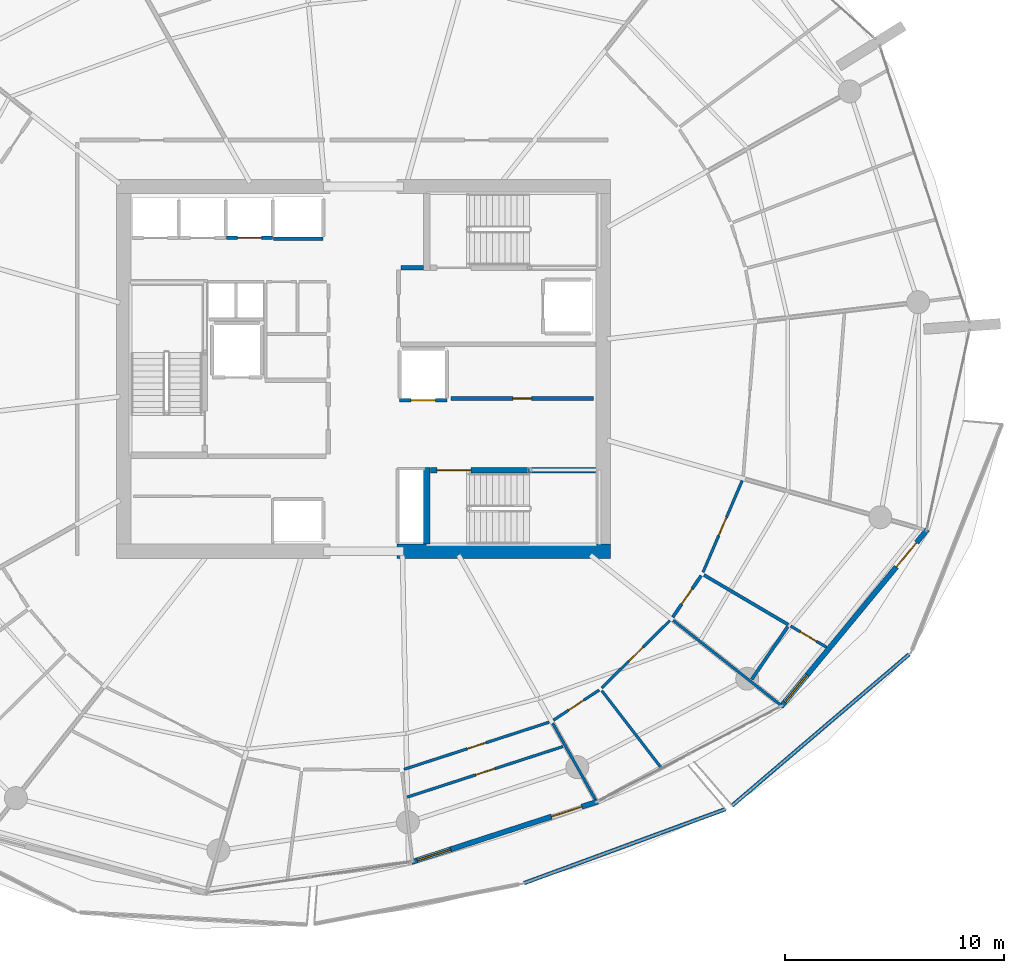
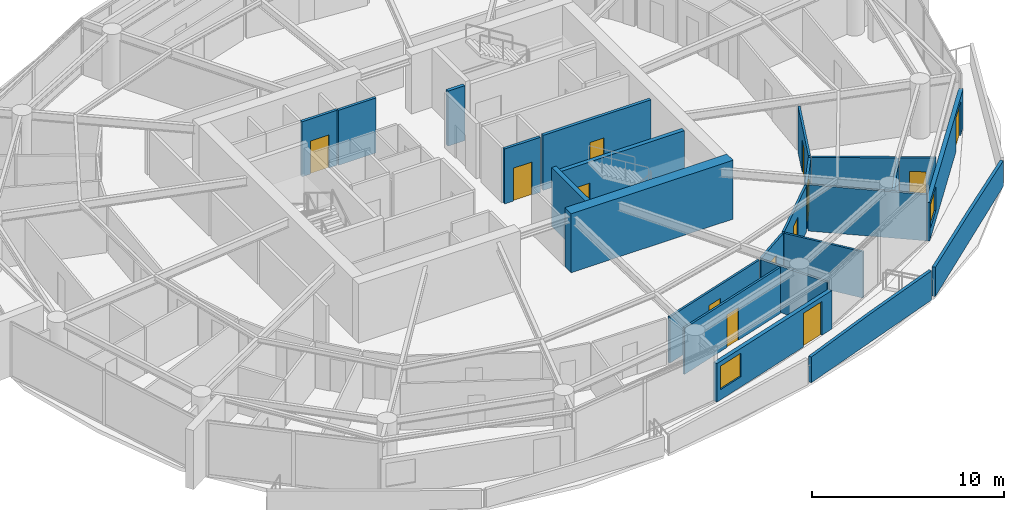
# One storey, part 13 of 21: 24 walls, 13 doors, 2 windows, 15 openings.
"""IFC4 building model written with IfcOpenShell, lengths in metres."""

import ifcopenshell
import ifcopenshell.guid

model = None  # the IFC model being written
_history = None  # IfcOwnerHistory: only IFC2X3 demands one
_inside = {}  # id of a spatial element -> (the spatial element, [elements in it])
_under = {}  # id of a project, library or spatial element -> (it, [spatial elements below it])
_declared = {}  # id of a project -> (the project, [libraries it declares])
_typed = {}  # id of a type object -> (the type object, [elements of that type])
_made_of = {}  # id of a material, layer set ... -> (it, [elements and type objects made of it])


def new_model(schema):
    """Start an empty IFC model of exactly this schema.

    Asked for "IFC4X3", IfcOpenShell would pick the latest addendum, in which some entities
    have other attributes; the version numbers below select the first issue.
    IFC2X3 requires an IfcOwnerHistory on every rooted entity: one is made here for all.
    """
    global model, _history
    if schema == "IFC4X3":
        model = ifcopenshell.file(schema_version=(4, 3, 0, 0))
    else:
        model = ifcopenshell.file(schema=schema)
    _inside.clear()
    _under.clear()
    _declared.clear()
    _typed.clear()
    _made_of.clear()
    _history = None
    if model.schema == "IFC2X3":
        org = make("IfcOrganization", Name="unknown")
        user = make(
            "IfcPersonAndOrganization",
            ThePerson=make("IfcPerson", FamilyName="unknown"),
            TheOrganization=org,
        )
        app = make(
            "IfcApplication",
            ApplicationDeveloper=org,
            Version="unknown",
            ApplicationFullName="unknown",
            ApplicationIdentifier="unknown",
        )
        _history = make(
            "IfcOwnerHistory",
            OwningUser=user,
            OwningApplication=app,
            ChangeAction="ADDED",
            CreationDate=0,
        )
    return model


def make(cls, **values):
    """One entity of the class cls with the attributes given. An attribute that is None is left unset."""
    return model.create_entity(
        cls, **{name: value for name, value in values.items() if value is not None}
    )


def rooted(cls, **values):
    """An entity with a GlobalId (a new one), such as an element, a storey or a relation."""
    return make(cls, GlobalId=ifcopenshell.guid.new(), OwnerHistory=_history, **values)


def si_unit(unit_type, name, prefix=None):
    """IfcSIUnit, for example si_unit("LENGTHUNIT", "METRE", prefix="MILLI")."""
    return make("IfcSIUnit", UnitType=unit_type, Prefix=prefix, Name=name)


def assignment(units):
    """IfcUnitAssignment: the units of a project."""
    return None if units is None else make("IfcUnitAssignment", Units=units)


def point(xyz):
    """IfcCartesianPoint."""
    return None if xyz is None else make("IfcCartesianPoint", Coordinates=xyz)


def direction(xyz):
    """IfcDirection."""
    return None if xyz is None else make("IfcDirection", DirectionRatios=xyz)


def frame(location, z_axis=None, x_axis=None):
    """IfcAxis2Placement3D, a coordinate frame: its origin and axes. An axis left out is left unset."""
    return make(
        "IfcAxis2Placement3D",
        Location=point(location),
        Axis=direction(z_axis),
        RefDirection=direction(x_axis),
    )


def frame_2d(location, x_axis=None):
    """IfcAxis2Placement2D, a coordinate frame in the plane: its origin and x axis."""
    return make(
        "IfcAxis2Placement2D", Location=point(location), RefDirection=direction(x_axis)
    )


def origin():
    """The frame at (0, 0, 0) with its axes left unset."""
    return frame((0.0, 0.0, 0.0))


def place(relative_to, where):
    """IfcLocalPlacement: puts the frame where relative to a parent placement (None: the world)."""
    return make(
        "IfcLocalPlacement", PlacementRelTo=relative_to, RelativePlacement=where
    )


def context(
    kind, dimensions, precision=None, world=None, true_north=None, identifier=None
):
    """IfcGeometricRepresentationContext, for example the 3D "Model" context."""
    return make(
        "IfcGeometricRepresentationContext",
        ContextIdentifier=identifier,
        ContextType=kind,
        CoordinateSpaceDimension=dimensions,
        Precision=precision,
        WorldCoordinateSystem=world,
        TrueNorth=true_north,
    )


def subcontext(parent, identifier, kind, view, scale=None):
    """IfcGeometricRepresentationSubContext, for example "Body" below "Model"."""
    return make(
        "IfcGeometricRepresentationSubContext",
        ContextIdentifier=identifier,
        ContextType=kind,
        ParentContext=parent,
        TargetScale=scale,
        TargetView=view,
    )


def project(units=None, contexts=None):
    """IfcProject with its units and contexts."""
    return rooted(
        "IfcProject",
        Name="project",
        RepresentationContexts=contexts,
        UnitsInContext=assignment(units),
    )


def spatial(cls, under=None, at=None, **own):
    """A site, building, storey or space (cls), placed at a placement, below another one or the project."""
    s = rooted(cls, ObjectPlacement=at, **own)
    if under is not None:
        _under.setdefault(under.id(), (under, []))[1].append(s)
    return s


def polyline(points):
    """IfcPolyline through the points."""
    return make("IfcPolyline", Points=[point(p) for p in points])


def profile(cls, at=None, kind="AREA", **sizes):
    """A parametric profile (cls). Its sizes go by their IFC names, for example OverallWidth=200.0."""
    return make(cls, ProfileType=kind, Position=at, **sizes)


def rectangle(**sizes):
    """IfcRectangleProfileDef."""
    return profile("IfcRectangleProfileDef", **sizes)


def outline(outer, holes=None, kind="AREA"):
    """IfcArbitraryClosedProfileDef: a profile drawn as a closed curve; with holes, ...WithVoids."""
    if holes is None:
        return make("IfcArbitraryClosedProfileDef", ProfileType=kind, OuterCurve=outer)
    return make(
        "IfcArbitraryProfileDefWithVoids",
        ProfileType=kind,
        OuterCurve=outer,
        InnerCurves=holes,
    )


def extrude(swept, where, along, depth):
    """IfcExtrudedAreaSolid: the profile swept, set in the frame where, extruded along a direction by depth."""
    return make(
        "IfcExtrudedAreaSolid",
        SweptArea=swept,
        Position=where,
        ExtrudedDirection=direction(along),
        Depth=depth,
    )


def shape(context_of_items, identifier, shape_type, items):
    """IfcShapeRepresentation: the items that make up one representation, for example the "Body"."""
    return make(
        "IfcShapeRepresentation",
        ContextOfItems=context_of_items,
        RepresentationIdentifier=identifier,
        RepresentationType=shape_type,
        Items=items,
    )


def material(Name=None, Category=None):
    """IfcMaterial."""
    return make("IfcMaterial", Name=Name, Category=Category)


def layer(
    of_material, thickness, ventilated=None, Name=None, Category=None, Priority=None
):
    """IfcMaterialLayer: one layer of a wall or slab, of a material (None: an air gap)."""
    return make(
        "IfcMaterialLayer",
        Material=of_material,
        LayerThickness=thickness,
        IsVentilated=ventilated,
        Name=Name,
        Category=Category,
        Priority=Priority,
    )


def layer_set(layers, Name=None):
    """IfcMaterialLayerSet."""
    return make("IfcMaterialLayerSet", MaterialLayers=layers, LayerSetName=Name)


def made_of(thing, what):
    """Note that an element or type object is made of a material, layer set ...; save() writes the relation."""
    if what is not None:
        _made_of.setdefault(what.id(), (what, []))[1].append(thing)
    return thing


def type_object(cls, material=None, **own):
    """A type object (cls), such as IfcWallType, which elements share."""
    return made_of(rooted(cls, **own), material)


def element(
    cls,
    number,
    at=None,
    inside=None,
    cuts=None,
    type_object=None,
    material=None,
    context=None,
    identifier="Body",
    shape_type=None,
    held_by="IfcProductDefinitionShape",
    body=None,
    shapes=None,
    **own,
):
    """One element of the class cls, such as IfcWall. Its Tag is "e" and its number.

    at: its placement. inside: the storey or other place that contains it. cuts: it is an
    opening in that element (IfcRelVoidsElement). A single representation is given by context,
    identifier, shape_type and body (its items); several are given by shapes. held_by: the class
    of the entity that holds the representations. save() writes the other relations.
    """
    e = rooted(cls, Tag="e%d" % number, ObjectPlacement=at, **own)
    if body is not None:
        shapes = [shape(context, identifier, shape_type, body)]
    if shapes is not None:
        e.Representation = make(held_by, Representations=shapes)
    if inside is not None:
        _inside.setdefault(inside.id(), (inside, []))[1].append(e)
    if cuts is not None:
        rooted(
            "IfcRelVoidsElement", RelatingBuildingElement=cuts, RelatedOpeningElement=e
        )
    if type_object is not None:
        _typed.setdefault(type_object.id(), (type_object, []))[1].append(e)
    return made_of(e, material)


def fill(opening, filler):
    """IfcRelFillsElement: the door or window that sits in an opening."""
    return rooted(
        "IfcRelFillsElement",
        RelatingOpeningElement=opening,
        RelatedBuildingElement=filler,
    )


def aggregate(whole, parts):
    """IfcRelAggregates: a whole, such as a stair, and the parts it consists of."""
    return rooted("IfcRelAggregates", RelatingObject=whole, RelatedObjects=parts)


def save(model, path):
    """Write the relations noted so far, then the file.

    IfcRelAggregates (storeys below a building ...), IfcRelContainedInSpatialStructure (elements
    in a storey), IfcRelDefinesByType, IfcRelAssociatesMaterial and IfcRelDeclares: one each for
    every whole, place, type object, material and project.
    """
    for whole, parts in _under.values():
        aggregate(whole, parts)
    for where, things in _inside.values():
        rooted(
            "IfcRelContainedInSpatialStructure",
            RelatedElements=things,
            RelatingStructure=where,
        )
    for kind, things in _typed.values():
        rooted("IfcRelDefinesByType", RelatedObjects=things, RelatingType=kind)
    for what, things in _made_of.values():
        rooted("IfcRelAssociatesMaterial", RelatedObjects=things, RelatingMaterial=what)
    for by, libraries in _declared.values():
        rooted("IfcRelDeclares", RelatingContext=by, RelatedDefinitions=libraries)
    model.write(path)


model = new_model("IFC4")

# Units and contexts
model_context = context("Model", 3, precision=1e-05, world=origin(), true_north=direction((0.0, 1.0)))
body_context = subcontext(model_context, "Body", "Model", "MODEL_VIEW")
ifc_project = project(units=[si_unit("LENGTHUNIT", "METRE"), si_unit("AREAUNIT", "SQUARE_METRE"), si_unit("VOLUMEUNIT", "CUBIC_METRE"), si_unit("PLANEANGLEUNIT", "RADIAN"), si_unit("MASSUNIT", "GRAM", prefix="KILO")], contexts=[model_context])

# Site, building, storey
site_placement = place(None, origin())
site = spatial("IfcSite", under=ifc_project, at=site_placement, CompositionType="ELEMENT")
building_placement = place(site_placement, origin())
building = spatial("IfcBuilding", under=site, at=building_placement, Name="Kazma Halo Residences", CompositionType="ELEMENT")
storey_placement = place(building_placement, frame((0.0, 0.0, 191.550048828125)))
storey = spatial("IfcBuildingStorey", under=building, at=storey_placement, Name="L48", CompositionType="ELEMENT", Elevation=191.550048828125)

# Walls
ifc_material_1 = material(Name="White Concrete C50/60 Balustrade", Category="concrete")
ifc_layer_1 = layer(ifc_material_1, 0.179931640625)
ifc_layer_set_1 = layer_set([ifc_layer_1], Name="White Concrete C50/60 Balustrade")
wall_type_1 = type_object("IfcWallType", Name="WL-BAL-WAVE-180", PredefinedType="PARAPET", material=ifc_layer_set_1)
wall_1_placement = place(storey_placement, frame((55.755615234375, 18.518310546875, 0.0), z_axis=(0.0, 0.0, 1.0), x_axis=(0.938669265972, 0.344818806214, 0.0)))
element("IfcWall", 1, at=wall_1_placement, inside=storey, type_object=wall_type_1, Name="L48 white wave balustrade wall SSE.2", PredefinedType="PARAPET", context=body_context, shape_type="SweptSolid", body=[
    extrude(outline(polyline([(0.0, 0.0), (9.802734375, 0.0), (9.802490234375, 1.85986328125), (4.9013671875, 1.7978515625), (0.0, 1.6318359375), (0.0, 0.0)])), frame((0.0, 0.08984375, 0.0), z_axis=(0.0, -1.0, 0.0), x_axis=(1.0, 0.0, 0.0)), (0.0, 0.0, 1.0), 0.179931640625),
])
wall_2_placement = place(storey_placement, frame((65.248291015625, 22.052978515625, 0.0), z_axis=(0.0, 0.0, 1.0), x_axis=(0.760227532438, 0.649656908624, 0.0)))
element("IfcWall", 2, at=wall_2_placement, inside=storey, type_object=wall_type_1, Name="L48 white wave balustrade wall SE.1", PredefinedType="PARAPET", context=body_context, shape_type="SweptSolid", body=[
    extrude(outline(polyline([(0.0, 0.0), (10.640380859375, 0.0), (10.640380859375, 1.6318359375), (5.3203125, 1.7978515625), (0.0, 1.85986328125), (0.0, 0.0)])), frame((0.0, 0.08984375, 0.0), z_axis=(0.0, -1.0, 0.0), x_axis=(1.0, 0.0, 0.0)), (0.0, 0.0, 1.0), 0.179931640625),
])
ifc_material_2 = material(Name="Concrete C60/75", Category="concrete")
ifc_layer_2 = layer(ifc_material_2, 0.64990234375)
ifc_layer_set_2 = layer_set([ifc_layer_2], Name="Concrete C60/75")
wall_type_2 = type_object("IfcWallType", Name="WL-CORE-650", PredefinedType="SHEAR", material=ifc_layer_set_2)
wall_3_placement = place(storey_placement, frame((49.949951171875, 33.675048828125, 0.0), z_axis=(0.0, 0.0, 1.0), x_axis=(1.0, 0.0, 0.0)))
element("IfcWall", 3, at=wall_3_placement, inside=storey, type_object=wall_type_2, Name="L48 central core shear wall SE", PredefinedType="SHEAR", context=body_context, shape_type="SweptSolid", body=[
    extrude(rectangle(XDim=9.75, YDim=0.64990234375, at=frame_2d((4.875, 0.0))), origin(), (0.0, 0.0, 1.0), 3.75),
])
ifc_layer_3 = layer(ifc_material_2, 0.280029296875)
ifc_layer_set_3 = layer_set([ifc_layer_3], Name="Concrete C60/75")
wall_type_3 = type_object("IfcWallType", Name="WL-CORE-ST-280", PredefinedType="SHEAR", material=ifc_layer_set_3)
wall_4_placement = place(storey_placement, frame((51.31005859375, 34.0, 0.0), z_axis=(0.0, 0.0, 1.0), x_axis=(0.0, 1.0, 0.0)))
element("IfcWall", 4, at=wall_4_placement, inside=storey, type_object=wall_type_3, Name="L48 stairwell bearing wall ST03-W", PredefinedType="SHEAR", context=body_context, shape_type="SweptSolid", body=[
    extrude(rectangle(XDim=3.5, YDim=0.280029296875, at=frame_2d((1.75, 0.0))), origin(), (0.0, 0.0, 1.0), 3.75),
])

# Wall, openings, door, window
ifc_material_3 = material(Name="Insulated Pale-Metal Composite Wall")
ifc_layer_4 = layer(ifc_material_3, 0.239990234375)
ifc_layer_set_4 = layer_set([ifc_layer_4], Name="Insulated Pale-Metal Composite Wall")
wall_type_4 = type_object("IfcWallType", Name="WL-EXT-HOST-240", PredefinedType="SOLIDWALL", material=ifc_layer_set_4)
wall_5_placement = place(storey_placement, frame((50.61572265625, 19.481201171875, 0.0), z_axis=(0.0, 0.0, 1.0), x_axis=(0.951058543936, 0.309010753869, 0.0)))
wall_5 = element("IfcWall", 5, at=wall_5_placement, inside=storey, type_object=wall_type_4, Name="L48 exterior terrace-access wall B12", PredefinedType="SOLIDWALL", context=body_context, shape_type="SweptSolid", body=[
    extrude(rectangle(XDim=8.942138671875, YDim=0.239990234375, at=frame_2d((4.47119140625, 0.0))), origin(), (0.0, 0.0, 1.0), 2.449951171875),
])
opening_1_placement = place(wall_5_placement, frame((6.721923828125, 0.0, 0.0)))
opening_1 = element("IfcOpeningElement", 6, at=opening_1_placement, cuts=wall_5, Name="Opening DTR-1600", PredefinedType="OPENING", context=body_context, shape_type="SweptSolid", body=[
    extrude(rectangle(XDim=1.449951171875, YDim=2.14990234375, at=frame_2d((0.72509765625, 1.074951171875))), frame((0.0, 0.1298828125, 0.0), z_axis=(0.0, -1.0, 0.0), x_axis=(1.0, 0.0, 0.0)), (0.0, 0.0, 1.0), 0.260009765625),
])
opening_2_placement = place(wall_5_placement, frame((0.280029296875, 0.0, 0.64990234375)))
opening_2 = element("IfcOpeningElement", 7, at=opening_2_placement, cuts=wall_5, Name="Opening W-1800", PredefinedType="OPENING", context=body_context, shape_type="SweptSolid", body=[
    extrude(rectangle(XDim=1.60009765625, YDim=1.5, at=frame_2d((0.800048828125, 0.75))), frame((0.0, 0.1298828125, 0.0), z_axis=(0.0, -1.0, 0.0), x_axis=(1.0, 0.0, 0.0)), (0.0, 0.0, 1.0), 0.260009765625),
])
ifc_material_4 = material(Name="Aluminium AW-6063 T6 Double-Glazed Terrace Door", Category="aluminium")
door_type_1 = type_object("IfcDoorType", Name="DR-EXT-TERR-1600", OperationType="NOTDEFINED", PredefinedType="DOOR", material=ifc_material_4)
door_1_placement = place(opening_1_placement, origin())
door_1 = element("IfcDoor", 8, at=door_1_placement, inside=storey, type_object=door_type_1, Name="L48 B12 balcony terrace door", OperationType="DOUBLE_DOOR_SLIDING", OverallHeight=2.14990234375, OverallWidth=1.449951171875, PredefinedType="DOOR", context=body_context, shape_type="SweptSolid", body=[
    extrude(rectangle(XDim=1.449951171875, YDim=2.14990234375, at=frame_2d((0.72509765625, 1.074951171875))), frame((0.0, 0.02490234375, 0.0), z_axis=(0.0, -1.0, 0.0), x_axis=(1.0, 0.0, 0.0)), (0.0, 0.0, 1.0), 0.050048828125),
])
fill(opening_1, door_1)
ifc_material_5 = material(Name="Clear Triple-Silver Low-E Glass in Aluminium AW-6063 T6 Frame", Category="aluminium")
window_type = type_object("IfcWindowType", Name="WIN-RES-1800", PartitioningType="DOUBLE_PANEL_VERTICAL", PredefinedType="WINDOW", material=ifc_material_5)
window_1_placement = place(opening_2_placement, origin())
window_1 = element("IfcWindow", 9, at=window_1_placement, inside=storey, type_object=window_type, Name="L48 B12 apartment window", OverallHeight=1.5, OverallWidth=1.60009765625, PartitioningType="SINGLE_PANEL", PredefinedType="WINDOW", context=body_context, shape_type="SweptSolid", body=[
    extrude(rectangle(XDim=1.60009765625, YDim=1.5, at=frame_2d((0.800048828125, 0.75))), frame((0.0, 0.030029296875, 0.0), z_axis=(0.0, -1.0, 0.0), x_axis=(1.0, 0.0, 0.0)), (0.0, 0.0, 1.0), 0.06005859375),
])
fill(opening_2, window_1)

wall_6_placement = place(storey_placement, frame((67.485107421875, 26.57568359375, 0.0), z_axis=(0.0, 0.0, 1.0), x_axis=(0.636759394418, 0.771062561418, 0.0)))
wall_6 = element("IfcWall", 10, at=wall_6_placement, inside=storey, type_object=wall_type_4, Name="L48 exterior terrace-access wall B14", PredefinedType="SOLIDWALL", context=body_context, shape_type="SweptSolid", body=[
    extrude(rectangle(XDim=10.494384765625, YDim=0.239990234375, at=frame_2d((5.2470703125, 0.0))), origin(), (0.0, 0.0, 1.0), 2.449951171875),
])
opening_3_placement = place(wall_6_placement, frame((8.2744140625, 0.0, 0.0)))
opening_3 = element("IfcOpeningElement", 11, at=opening_3_placement, cuts=wall_6, Name="Opening DTR-1600", PredefinedType="OPENING", context=body_context, shape_type="SweptSolid", body=[
    extrude(rectangle(XDim=1.449951171875, YDim=2.14990234375, at=frame_2d((0.72509765625, 1.074951171875))), frame((0.0, 0.1298828125, 0.0), z_axis=(0.0, -1.0, 0.0), x_axis=(1.0, 0.0, 0.0)), (0.0, 0.0, 1.0), 0.260009765625),
])
opening_4_placement = place(wall_6_placement, frame((0.280029296875, 0.0, 0.64990234375)))
opening_4 = element("IfcOpeningElement", 12, at=opening_4_placement, cuts=wall_6, Name="Opening W-1800", PredefinedType="OPENING", context=body_context, shape_type="SweptSolid", body=[
    extrude(rectangle(XDim=1.60009765625, YDim=1.5, at=frame_2d((0.800048828125, 0.75))), frame((0.0, 0.1298828125, 0.0), z_axis=(0.0, -1.0, 0.0), x_axis=(1.0, 0.0, 0.0)), (0.0, 0.0, 1.0), 0.260009765625),
])
door_2_placement = place(opening_3_placement, origin())
door_2 = element("IfcDoor", 13, at=door_2_placement, inside=storey, type_object=door_type_1, Name="L48 B14 balcony terrace door", OperationType="DOUBLE_DOOR_SLIDING", OverallHeight=2.14990234375, OverallWidth=1.449951171875, PredefinedType="DOOR", context=body_context, shape_type="SweptSolid", body=[
    extrude(rectangle(XDim=1.449951171875, YDim=2.14990234375, at=frame_2d((0.72509765625, 1.074951171875))), frame((0.0, 0.02490234375, 0.0), z_axis=(0.0, -1.0, 0.0), x_axis=(1.0, 0.0, 0.0)), (0.0, 0.0, 1.0), 0.050048828125),
])
fill(opening_3, door_2)
window_2_placement = place(opening_4_placement, origin())
window_2 = element("IfcWindow", 14, at=window_2_placement, inside=storey, type_object=window_type, Name="L48 B14 apartment window", OverallHeight=1.5, OverallWidth=1.60009765625, PartitioningType="SINGLE_PANEL", PredefinedType="WINDOW", context=body_context, shape_type="SweptSolid", body=[
    extrude(rectangle(XDim=1.60009765625, YDim=1.5, at=frame_2d((0.800048828125, 0.75))), frame((0.0, 0.030029296875, 0.0), z_axis=(0.0, -1.0, 0.0), x_axis=(1.0, 0.0, 0.0)), (0.0, 0.0, 1.0), 0.06005859375),
])
fill(opening_4, window_2)

# Wall, opening, door
ifc_material_6 = material(Name="Fire-Rated Blockwork Masonry", Category="masonry")
ifc_layer_5 = layer(ifc_material_6, 0.199951171875)
ifc_layer_set_5 = layer_set([ifc_layer_5], Name="Fire-Rated Blockwork Masonry")
wall_type_5 = type_object("IfcWallType", Name="WL-FLB-200", PredefinedType="PARTITIONING", material=ifc_layer_set_5)
wall_7_placement = place(storey_placement, frame((44.27490234375, 47.9951171875, 0.0), z_axis=(0.0, 0.0, 1.0), x_axis=(-1.0, 0.0, 0.0)))
wall_7 = element("IfcWall", 15, at=wall_7_placement, inside=storey, type_object=wall_type_5, Name="L48 lift shaft PM-03 front wall", PredefinedType="PARTITIONING", context=body_context, shape_type="SweptSolid", body=[
    extrude(rectangle(XDim=2.10986328125, YDim=0.159912109375, at=frame_2d((1.054931640625, 0.0))), origin(), (0.0, 0.0, 1.0), 3.5),
])
opening_5_placement = place(wall_7_placement, frame((0.5048828125, 0.0, 0.0)))
opening_5 = element("IfcOpeningElement", 16, at=opening_5_placement, cuts=wall_7, Name="Opening LD-PM-03", PredefinedType="OPENING", context=body_context, shape_type="SweptSolid", body=[
    extrude(rectangle(XDim=1.10009765625, YDim=2.10009765625, at=frame_2d((0.550048828125, 1.050048828125))), frame((0.0, 0.08984375, 0.0), z_axis=(0.0, -1.0, 0.0), x_axis=(1.0, 0.0, 0.0)), (0.0, 0.0, 1.0), 0.179931640625),
])
ifc_material_7 = material(Name="Stainless Steel Fire-Rated", Category="steel")
door_type_2 = type_object("IfcDoorType", Name="DR-LIFT-SLD-1100", OperationType="DOUBLE_DOOR_SLIDING", PredefinedType="DOOR", material=ifc_material_7)
door_3_placement = place(opening_5_placement, origin())
door_3 = element("IfcDoor", 17, at=door_3_placement, inside=storey, type_object=door_type_2, Name="L48 lift PM-03 sliding landing door", OperationType="DOUBLE_DOOR_SLIDING", OverallHeight=2.10009765625, OverallWidth=1.10009765625, PredefinedType="DOOR", context=body_context, shape_type="SweptSolid", body=[
    extrude(rectangle(XDim=1.10009765625, YDim=2.10009765625, at=frame_2d((0.550048828125, 1.050048828125))), frame((0.0, 0.02490234375, 0.0), z_axis=(0.0, -1.0, 0.0), x_axis=(1.0, 0.0, 0.0)), (0.0, 0.0, 1.0), 0.050048828125),
])
fill(opening_5, door_3)

# Wall
wall_8_placement = place(storey_placement, frame((46.580078125, 47.945068359375, 0.0), z_axis=(0.0, 0.0, 1.0), x_axis=(-1.0, 0.0, 0.0)))
element("IfcWall", 18, at=wall_8_placement, inside=storey, type_object=wall_type_5, Name="L48 lift shaft PX-01 front wall", PredefinedType="PARTITIONING", context=body_context, shape_type="SweptSolid", body=[
    extrude(rectangle(XDim=2.260009765625, YDim=0.159912109375, at=frame_2d((1.1298828125, 0.0))), origin(), (0.0, 0.0, 1.0), 3.5),
])

# Wall, opening, door
wall_9_placement = place(storey_placement, frame((52.22998046875, 40.570068359375, 0.0), z_axis=(0.0, 0.0, 1.0), x_axis=(-1.0, 0.0, 0.0)))
wall_9 = element("IfcWall", 19, at=wall_9_placement, inside=storey, type_object=wall_type_5, Name="L48 lift shaft SV-01 front wall", PredefinedType="PARTITIONING", context=body_context, shape_type="SweptSolid", body=[
    extrude(rectangle(XDim=2.159912109375, YDim=0.159912109375, at=frame_2d((1.080078125, 0.0))), origin(), (0.0, 0.0, 1.0), 3.5),
])
opening_6_placement = place(wall_9_placement, frame((0.530029296875, 0.0, 0.0)))
opening_6 = element("IfcOpeningElement", 20, at=opening_6_placement, cuts=wall_9, Name="Opening LD-SV-01", PredefinedType="OPENING", context=body_context, shape_type="SweptSolid", body=[
    extrude(rectangle(XDim=1.10009765625, YDim=2.10009765625, at=frame_2d((0.550048828125, 1.050048828125))), frame((0.0, 0.08984375, 0.0), z_axis=(0.0, -1.0, 0.0), x_axis=(1.0, 0.0, 0.0)), (0.0, 0.0, 1.0), 0.179931640625),
])
door_4_placement = place(opening_6_placement, origin())
door_4 = element("IfcDoor", 21, at=door_4_placement, inside=storey, type_object=door_type_2, Name="L48 lift SV-01 sliding landing door", OperationType="DOUBLE_DOOR_SLIDING", OverallHeight=2.10009765625, OverallWidth=1.10009765625, PredefinedType="DOOR", context=body_context, shape_type="SweptSolid", body=[
    extrude(rectangle(XDim=1.10009765625, YDim=2.10009765625, at=frame_2d((0.550048828125, 1.050048828125))), frame((0.0, 0.02490234375, 0.0), z_axis=(0.0, -1.0, 0.0), x_axis=(1.0, 0.0, 0.0)), (0.0, 0.0, 1.0), 0.050048828125),
])
fill(opening_6, door_4)

wall_10_placement = place(storey_placement, frame((52.419921875, 40.64990234375, 0.0), z_axis=(0.0, 0.0, 1.0), x_axis=(1.0, 0.0, 0.0)))
wall_10 = element("IfcWall", 22, at=wall_10_placement, inside=storey, type_object=wall_type_5, Name="L48 core east reserve wall", PredefinedType="PARTITIONING", context=body_context, shape_type="SweptSolid", body=[
    extrude(rectangle(XDim=6.5, YDim=0.179931640625, at=frame_2d((3.25, 0.0))), origin(), (0.0, 0.0, 1.0), 3.5),
])
opening_7_placement = place(wall_10_placement, frame((2.824951171875, 0.0, 0.0)))
opening_7 = element("IfcOpeningElement", 23, at=opening_7_placement, cuts=wall_10, Name="Opening DS-850", PredefinedType="OPENING", context=body_context, shape_type="SweptSolid", body=[
    extrude(rectangle(XDim=0.85009765625, YDim=2.06005859375, at=frame_2d((0.425048828125, 1.030029296875))), frame((0.0, 0.099853515625, 0.0), z_axis=(0.0, -1.0, 0.0), x_axis=(1.0, 0.0, 0.0)), (0.0, 0.0, 1.0), 0.199951171875),
])
ifc_material_8 = material(Name="Painted Steel Access Leaf", Category="steel")
door_type_3 = type_object("IfcDoorType", Name="DR-SVC-850", OperationType="NOTDEFINED", PredefinedType="DOOR", material=ifc_material_8)
door_5_placement = place(opening_7_placement, origin())
door_5 = element("IfcDoor", 24, at=door_5_placement, inside=storey, type_object=door_type_3, Name="L48 core east reserve door", OperationType="SINGLE_SWING_LEFT", OverallHeight=2.06005859375, OverallWidth=0.85009765625, PredefinedType="DOOR", context=body_context, shape_type="SweptSolid", body=[
    extrude(rectangle(XDim=0.85009765625, YDim=2.06005859375, at=frame_2d((0.425048828125, 1.030029296875))), frame((0.0, 0.02490234375, 0.0), z_axis=(0.0, -1.0, 0.0), x_axis=(1.0, 0.0, 0.0)), (0.0, 0.0, 1.0), 0.050048828125),
])
fill(opening_7, door_5)

# Wall
wall_11_placement = place(storey_placement, frame((50.139892578125, 46.6201171875, 0.0), z_axis=(0.0, 0.0, 1.0), x_axis=(1.0, 0.0, 0.0)))
element("IfcWall", 25, at=wall_11_placement, inside=storey, type_object=wall_type_5, Name="L48 east firefighting lobby north closure wall", PredefinedType="PARTITIONING", context=body_context, shape_type="SweptSolid", body=[
    extrude(rectangle(XDim=1.02001953125, YDim=0.199951171875, at=frame_2d((0.510009765625, 0.0))), origin(), (0.0, 0.0, 1.0), 3.5),
])

# Wall, opening, door
ifc_material_9 = material(Name="Gypsum Plasterboard Partition")
ifc_layer_6 = layer(ifc_material_9, 0.125)
ifc_layer_set_6 = layer_set([ifc_layer_6], Name="Gypsum Plasterboard Partition")
wall_type_6 = type_object("IfcWallType", Name="WL-PART-125", PredefinedType="PARTITIONING", material=ifc_layer_set_6)
wall_12_placement = place(storey_placement, frame((50.272705078125, 23.71484375, 0.0), z_axis=(0.0, 0.0, 1.0), x_axis=(0.951056178842, 0.309018032946, 0.0)))
wall_12 = element("IfcWall", 26, at=wall_12_placement, inside=storey, type_object=wall_type_6, Name="L48 Apartment 2 Inner Study hall wall", PredefinedType="PARTITIONING", context=body_context, shape_type="SweptSolid", body=[
    extrude(rectangle(XDim=6.977783203125, YDim=0.125, at=frame_2d((3.48876953125, 0.0))), origin(), (0.0, 0.0, 1.0), 2.93994140625),
])
opening_8_placement = place(wall_12_placement, frame((3.038818359375, 0.0, 0.0)))
opening_8 = element("IfcOpeningElement", 27, at=opening_8_placement, cuts=wall_12, Name="Opening DI-950", PredefinedType="OPENING", context=body_context, shape_type="SweptSolid", body=[
    extrude(rectangle(XDim=0.89990234375, YDim=2.080078125, at=frame_2d((0.449951171875, 1.0400390625))), frame((0.0, 0.072509765625, 0.0), z_axis=(0.0, -1.0, 0.0), x_axis=(1.0, 0.0, 0.0)), (0.0, 0.0, 1.0), 0.14501953125),
])
ifc_material_10 = material(Name="Timber Veneer Flush Leaf", Category="wood")
door_type_4 = type_object("IfcDoorType", Name="DR-INT-950", OperationType="NOTDEFINED", PredefinedType="DOOR", material=ifc_material_10)
door_6_placement = place(opening_8_placement, origin())
door_6 = element("IfcDoor", 28, at=door_6_placement, inside=storey, type_object=door_type_4, Name="L48 Apartment 2 Inner Study door", OperationType="SINGLE_SWING_RIGHT", OverallHeight=2.080078125, OverallWidth=0.89990234375, PredefinedType="DOOR", context=body_context, shape_type="SweptSolid", body=[
    extrude(rectangle(XDim=0.89990234375, YDim=2.080078125, at=frame_2d((0.449951171875, 1.0400390625))), frame((0.0, 0.02490234375, 0.0), z_axis=(0.0, -1.0, 0.0), x_axis=(1.0, 0.0, 0.0)), (0.0, 0.0, 1.0), 0.050048828125),
])
fill(opening_8, door_6)

wall_13_placement = place(storey_placement, frame((50.4228515625, 22.44775390625, 0.0), z_axis=(0.0, 0.0, 1.0), x_axis=(0.95105638647, 0.309017393935, 0.0)))
wall_13 = element("IfcWall", 29, at=wall_13_placement, inside=storey, type_object=wall_type_6, Name="L48 Apartment 2 Outer Bedroom divider wall", PredefinedType="PARTITIONING", context=body_context, shape_type="SweptSolid", body=[
    extrude(rectangle(XDim=7.4755859375, YDim=0.125, at=frame_2d((3.73779296875, 0.0))), origin(), (0.0, 0.0, 1.0), 2.93994140625),
])
opening_9_placement = place(wall_13_placement, frame((3.287841796875, 0.0, 0.0)))
opening_9 = element("IfcOpeningElement", 30, at=opening_9_placement, cuts=wall_13, Name="Opening DI-950", PredefinedType="OPENING", context=body_context, shape_type="SweptSolid", body=[
    extrude(rectangle(XDim=0.89990234375, YDim=2.080078125, at=frame_2d((0.449951171875, 1.0400390625))), frame((0.0, 0.072509765625, 0.0), z_axis=(0.0, -1.0, 0.0), x_axis=(1.0, 0.0, 0.0)), (0.0, 0.0, 1.0), 0.14501953125),
])
door_7_placement = place(opening_9_placement, origin())
door_7 = element("IfcDoor", 31, at=door_7_placement, inside=storey, type_object=door_type_4, Name="L48 Apartment 2 Outer Bedroom door", OperationType="SINGLE_SWING_LEFT", OverallHeight=2.080078125, OverallWidth=0.89990234375, PredefinedType="DOOR", context=body_context, shape_type="SweptSolid", body=[
    extrude(rectangle(XDim=0.89990234375, YDim=2.080078125, at=frame_2d((0.449951171875, 1.0400390625))), frame((0.0, 0.02490234375, 0.0), z_axis=(0.0, -1.0, 0.0), x_axis=(1.0, 0.0, 0.0)), (0.0, 0.0, 1.0), 0.050048828125),
])
fill(opening_9, door_7)

# Walls
wall_14_placement = place(storey_placement, frame((57.0625, 25.81787109375, 0.0), z_axis=(0.0, 0.0, 1.0), x_axis=(0.488592185259, -0.872512278712, 0.0)))
element("IfcWall", 32, at=wall_14_placement, inside=storey, type_object=wall_type_6, Name="L48 Apartment 2 radial partition 12", PredefinedType="PARTITIONING", context=body_context, shape_type="SweptSolid", body=[
    extrude(rectangle(XDim=3.988525390625, YDim=0.125, at=frame_2d((1.994140625, 0.0))), origin(), (0.0, 0.0, 1.0), 2.93994140625),
])
wall_15_placement = place(storey_placement, frame((59.303955078125, 27.308349609375, 0.0), z_axis=(0.0, 0.0, 1.0), x_axis=(0.609795684381, -0.792558656069, 0.0)))
element("IfcWall", 33, at=wall_15_placement, inside=storey, type_object=wall_type_6, Name="L48 Apartment 2 mid-bay wall 12", PredefinedType="PARTITIONING", context=body_context, shape_type="SweptSolid", body=[
    extrude(rectangle(XDim=4.445556640625, YDim=0.125, at=frame_2d((2.22265625, 0.0))), origin(), (0.0, 0.0, 1.0), 2.93994140625),
])

# Wall, opening, door
wall_16_placement = place(storey_placement, frame((57.09716796875, 25.960205078125, 0.0), z_axis=(0.0, 0.0, 1.0), x_axis=(0.834717236366, 0.550678795045, 0.0)))
wall_16 = element("IfcWall", 34, at=wall_16_placement, inside=storey, type_object=wall_type_6, Name="L48 Apartment 2 Corner Private Study hall wall", PredefinedType="PARTITIONING", context=body_context, shape_type="SweptSolid", body=[
    extrude(rectangle(XDim=2.497802734375, YDim=0.125, at=frame_2d((1.2490234375, 0.0))), origin(), (0.0, 0.0, 1.0), 2.93994140625),
])
opening_10_placement = place(wall_16_placement, frame((0.823974609375, 0.0, 0.0)))
opening_10 = element("IfcOpeningElement", 35, at=opening_10_placement, cuts=wall_16, Name="Opening DB-900", PredefinedType="OPENING", context=body_context, shape_type="SweptSolid", body=[
    extrude(rectangle(XDim=0.85009765625, YDim=2.06005859375, at=frame_2d((0.425048828125, 1.030029296875))), frame((0.0, 0.072509765625, 0.0), z_axis=(0.0, -1.0, 0.0), x_axis=(1.0, 0.0, 0.0)), (0.0, 0.0, 1.0), 0.14501953125),
])
ifc_material_11 = material(Name="Moisture-Sealed Timber Leaf", Category="wood")
door_type_5 = type_object("IfcDoorType", Name="DR-BTH-900", OperationType="NOTDEFINED", PredefinedType="DOOR", material=ifc_material_11)
door_8_placement = place(opening_10_placement, origin())
door_8 = element("IfcDoor", 36, at=door_8_placement, inside=storey, type_object=door_type_5, Name="L48 Apartment 2 Corner Private Study door", OperationType="SINGLE_SWING_LEFT", OverallHeight=2.06005859375, OverallWidth=0.85009765625, PredefinedType="DOOR", context=body_context, shape_type="SweptSolid", body=[
    extrude(rectangle(XDim=0.85009765625, YDim=2.06005859375, at=frame_2d((0.425048828125, 1.030029296875))), frame((0.0, 0.02490234375, 0.0), z_axis=(0.0, -1.0, 0.0), x_axis=(1.0, 0.0, 0.0)), (0.0, 0.0, 1.0), 0.050048828125),
])
fill(opening_10, door_8)

wall_17_placement = place(storey_placement, frame((59.305908203125, 27.435791015625, 0.0), z_axis=(0.0, 0.0, 1.0), x_axis=(0.711226825513, 0.702962589808, 0.0)))
wall_17 = element("IfcWall", 37, at=wall_17_placement, inside=storey, type_object=wall_type_6, Name="L48 Apartment 2 Garden Bedroom hall wall", PredefinedType="PARTITIONING", context=body_context, shape_type="SweptSolid", body=[
    extrude(rectangle(XDim=4.3720703125, YDim=0.125, at=frame_2d((2.18603515625, 0.0))), origin(), (0.0, 0.0, 1.0), 2.93994140625),
])
opening_11_placement = place(wall_17_placement, frame((1.736083984375, 0.0, 0.0)))
opening_11 = element("IfcOpeningElement", 38, at=opening_11_placement, cuts=wall_17, Name="Opening DI-950", PredefinedType="OPENING", context=body_context, shape_type="SweptSolid", body=[
    extrude(rectangle(XDim=0.89990234375, YDim=2.080078125, at=frame_2d((0.449951171875, 1.0400390625))), frame((0.0, 0.072509765625, 0.0), z_axis=(0.0, -1.0, 0.0), x_axis=(1.0, 0.0, 0.0)), (0.0, 0.0, 1.0), 0.14501953125),
])
door_9_placement = place(opening_11_placement, origin())
door_9 = element("IfcDoor", 39, at=door_9_placement, inside=storey, type_object=door_type_4, Name="L48 Apartment 2 Garden Bedroom door", OperationType="SINGLE_SWING_RIGHT", OverallHeight=2.080078125, OverallWidth=0.89990234375, PredefinedType="DOOR", context=body_context, shape_type="SweptSolid", body=[
    extrude(rectangle(XDim=0.89990234375, YDim=2.080078125, at=frame_2d((0.449951171875, 1.0400390625))), frame((0.0, 0.02490234375, 0.0), z_axis=(0.0, -1.0, 0.0), x_axis=(1.0, 0.0, 0.0)), (0.0, 0.0, 1.0), 0.050048828125),
])
fill(opening_11, door_9)

# Wall
wall_18_placement = place(storey_placement, frame((62.565185546875, 30.517578125, 0.0), z_axis=(0.0, 0.0, 1.0), x_axis=(0.785335313668, -0.619070630144, 0.0)))
element("IfcWall", 40, at=wall_18_placement, inside=storey, type_object=wall_type_6, Name="L48 Apartment 2 radial partition 13", PredefinedType="PARTITIONING", context=body_context, shape_type="SweptSolid", body=[
    extrude(rectangle(XDim=6.2802734375, YDim=0.125, at=frame_2d((3.14013671875, 0.0))), origin(), (0.0, 0.0, 1.0), 2.93994140625),
])

# Wall, opening, door
wall_19_placement = place(storey_placement, frame((67.9248046875, 30.2587890625, 0.0), z_axis=(0.0, 0.0, 1.0), x_axis=(0.861545463778, -0.507680424917, 0.0)))
wall_19 = element("IfcWall", 41, at=wall_19_placement, inside=storey, type_object=wall_type_6, Name="L48 Apartment 2 Gulf Walk-In Wardrobe partition wall", PredefinedType="PARTITIONING", context=body_context, shape_type="SweptSolid", body=[
    extrude(rectangle(XDim=1.90625, YDim=0.125, at=frame_2d((0.953125, 0.0))), origin(), (0.0, 0.0, 1.0), 2.93994140625),
])
opening_12_placement = place(wall_19_placement, frame((0.5283203125, 0.0, 0.0)))
opening_12 = element("IfcOpeningElement", 42, at=opening_12_placement, cuts=wall_19, Name="Opening DB-900", PredefinedType="OPENING", context=body_context, shape_type="SweptSolid", body=[
    extrude(rectangle(XDim=0.85009765625, YDim=2.06005859375, at=frame_2d((0.425048828125, 1.030029296875))), frame((0.0, 0.072509765625, 0.0), z_axis=(0.0, -1.0, 0.0), x_axis=(1.0, 0.0, 0.0)), (0.0, 0.0, 1.0), 0.14501953125),
])
door_10_placement = place(opening_12_placement, origin())
door_10 = element("IfcDoor", 43, at=door_10_placement, inside=storey, type_object=door_type_5, Name="L48 Apartment 2 Gulf Walk-In Wardrobe door", OperationType="SINGLE_SWING_LEFT", OverallHeight=2.06005859375, OverallWidth=0.85009765625, PredefinedType="DOOR", context=body_context, shape_type="SweptSolid", body=[
    extrude(rectangle(XDim=0.85009765625, YDim=2.06005859375, at=frame_2d((0.425048828125, 1.030029296875))), frame((0.0, 0.02490234375, 0.0), z_axis=(0.0, -1.0, 0.0), x_axis=(1.0, 0.0, 0.0)), (0.0, 0.0, 1.0), 0.050048828125),
])
fill(opening_12, door_10)

wall_20_placement = place(storey_placement, frame((63.92822265625, 32.717529296875, 0.0), z_axis=(0.0, 0.0, 1.0), x_axis=(0.392824298442, 0.919613544133, 0.0)))
wall_20 = element("IfcWall", 44, at=wall_20_placement, inside=storey, type_object=wall_type_6, Name="L48 Apartment 2 Primary Master Bedroom hall wall", PredefinedType="PARTITIONING", context=body_context, shape_type="SweptSolid", body=[
    extrude(rectangle(XDim=4.548828125, YDim=0.125, at=frame_2d((2.2744140625, 0.0))), origin(), (0.0, 0.0, 1.0), 2.93994140625),
])
opening_13_placement = place(wall_20_placement, frame((1.824462890625, 0.0, 0.0)))
opening_13 = element("IfcOpeningElement", 45, at=opening_13_placement, cuts=wall_20, Name="Opening DI-950", PredefinedType="OPENING", context=body_context, shape_type="SweptSolid", body=[
    extrude(rectangle(XDim=0.89990234375, YDim=2.080078125, at=frame_2d((0.449951171875, 1.0400390625))), frame((0.0, 0.072509765625, 0.0), z_axis=(0.0, -1.0, 0.0), x_axis=(1.0, 0.0, 0.0)), (0.0, 0.0, 1.0), 0.14501953125),
])
door_11_placement = place(opening_13_placement, origin())
door_11 = element("IfcDoor", 46, at=door_11_placement, inside=storey, type_object=door_type_4, Name="L48 Apartment 2 Primary Master Bedroom door", OperationType="SINGLE_SWING_RIGHT", OverallHeight=2.080078125, OverallWidth=0.89990234375, PredefinedType="DOOR", context=body_context, shape_type="SweptSolid", body=[
    extrude(rectangle(XDim=0.89990234375, YDim=2.080078125, at=frame_2d((0.449951171875, 1.0400390625))), frame((0.0, 0.02490234375, 0.0), z_axis=(0.0, -1.0, 0.0), x_axis=(1.0, 0.0, 0.0)), (0.0, 0.0, 1.0), 0.050048828125),
])
fill(opening_13, door_11)

ifc_material_12 = material(Name="Concrete C50/60", Category="concrete")
ifc_layer_7 = layer(ifc_material_12, 0.25)
ifc_layer_set_7 = layer_set([ifc_layer_7], Name="Concrete C50/60")
wall_type_7 = type_object("IfcWallType", Name="WL-SHF-250", PredefinedType="SOLIDWALL", material=ifc_layer_set_7)
wall_21_placement = place(storey_placement, frame((51.47998046875, 37.3798828125, 0.0), z_axis=(0.0, 0.0, 1.0), x_axis=(1.0, 0.0, 0.0)))
wall_21 = element("IfcWall", 47, at=wall_21_placement, inside=storey, type_object=wall_type_7, Name="L48 exit stair ST-03 enclosure wall", PredefinedType="SOLIDWALL", context=body_context, shape_type="SweptSolid", body=[
    extrude(rectangle(XDim=7.5400390625, YDim=0.25, at=frame_2d((3.77001953125, 0.0))), origin(), (0.0, 0.0, 1.0), 3.5),
])
opening_14_placement = place(wall_21_placement, frame((0.300048828125, 0.0, 0.0)))
opening_14 = element("IfcOpeningElement", 48, at=opening_14_placement, cuts=wall_21, Name="Opening D-ST3", PredefinedType="OPENING", context=body_context, shape_type="SweptSolid", body=[
    extrude(rectangle(XDim=1.550048828125, YDim=2.14990234375, at=frame_2d((0.77490234375, 1.074951171875))), frame((0.0, 0.135009765625, 0.0), z_axis=(0.0, -1.0, 0.0), x_axis=(1.0, 0.0, 0.0)), (0.0, 0.0, 1.0), 0.27001953125),
])
ifc_material_13 = material(Name="Fire-Rated Double Steel Leaf", Category="steel")
door_type_6 = type_object("IfcDoorType", Name="DR-FD90-1550", OperationType="NOTDEFINED", PredefinedType="DOOR", material=ifc_material_13)
door_12_placement = place(opening_14_placement, origin())
door_12 = element("IfcDoor", 49, at=door_12_placement, inside=storey, type_object=door_type_6, Name="L48 exit stair ST-03 fire door", OperationType="DOUBLE_DOOR_SINGLE_SWING", OverallHeight=2.14990234375, OverallWidth=1.550048828125, PredefinedType="DOOR", context=body_context, shape_type="SweptSolid", body=[
    extrude(rectangle(XDim=1.550048828125, YDim=2.14990234375, at=frame_2d((0.77490234375, 1.074951171875))), frame((0.0, 0.02490234375, 0.0), z_axis=(0.0, -1.0, 0.0), x_axis=(1.0, 0.0, 0.0)), (0.0, 0.0, 1.0), 0.050048828125),
])
fill(opening_14, door_12)

ifc_material_14 = material(Name="Moisture-Resistant Gypsum")
ifc_layer_8 = layer(ifc_material_14, 0.14990234375)
ifc_layer_set_8 = layer_set([ifc_layer_8], Name="Moisture-Resistant Gypsum")
wall_type_8 = type_object("IfcWallType", Name="WL-WET-150", PredefinedType="PARTITIONING", material=ifc_layer_set_8)
wall_22_placement = place(storey_placement, frame((62.543212890625, 30.662109375, 0.0), z_axis=(0.0, 0.0, 1.0), x_axis=(0.564702941821, 0.825294242981, 0.0)))
wall_22 = element("IfcWall", 50, at=wall_22_placement, inside=storey, type_object=wall_type_8, Name="L48 Apartment 2 Sky En-Suite Bathroom hall wall", PredefinedType="PARTITIONING", context=body_context, shape_type="SweptSolid", body=[
    extrude(rectangle(XDim=2.300048828125, YDim=0.14990234375, at=frame_2d((1.14990234375, 0.0))), origin(), (0.0, 0.0, 1.0), 2.93994140625),
])
opening_15_placement = place(wall_22_placement, frame((0.72509765625, 0.0, 0.0)))
opening_15 = element("IfcOpeningElement", 51, at=opening_15_placement, cuts=wall_22, Name="Opening DB-900", PredefinedType="OPENING", context=body_context, shape_type="SweptSolid", body=[
    extrude(rectangle(XDim=0.85009765625, YDim=2.06005859375, at=frame_2d((0.425048828125, 1.030029296875))), frame((0.0, 0.0849609375, 0.0), z_axis=(0.0, -1.0, 0.0), x_axis=(1.0, 0.0, 0.0)), (0.0, 0.0, 1.0), 0.169921875),
])
door_13_placement = place(opening_15_placement, origin())
door_13 = element("IfcDoor", 52, at=door_13_placement, inside=storey, type_object=door_type_5, Name="L48 Apartment 2 Sky En-Suite Bathroom door", OperationType="SINGLE_SWING_RIGHT", OverallHeight=2.06005859375, OverallWidth=0.85009765625, PredefinedType="DOOR", context=body_context, shape_type="SweptSolid", body=[
    extrude(rectangle(XDim=0.85009765625, YDim=2.06005859375, at=frame_2d((0.425048828125, 1.030029296875))), frame((0.0, 0.02490234375, 0.0), z_axis=(0.0, -1.0, 0.0), x_axis=(1.0, 0.0, 0.0)), (0.0, 0.0, 1.0), 0.050048828125),
])
fill(opening_15, door_13)

# Walls
wall_23_placement = place(storey_placement, frame((66.147705078125, 27.8203125, 0.0), z_axis=(0.0, 0.0, 1.0), x_axis=(0.564674922638, 0.825313414251, 0.0)))
element("IfcWall", 53, at=wall_23_placement, inside=storey, type_object=wall_type_8, Name="L48 Apartment 2 Sky En-Suite Bathroom back wall", PredefinedType="PARTITIONING", context=body_context, shape_type="SweptSolid", body=[
    extrude(rectangle(XDim=2.919677734375, YDim=0.14990234375, at=frame_2d((1.4599609375, 0.0))), origin(), (0.0, 0.0, 1.0), 2.93994140625),
])
wall_24_placement = place(storey_placement, frame((63.97021484375, 32.589111328125, 0.0), z_axis=(0.0, 0.0, 1.0), x_axis=(0.8615329034, -0.507701739566, 0.0)))
element("IfcWall", 54, at=wall_24_placement, inside=storey, type_object=wall_type_8, Name="L48 Apartment 2 Sky En-Suite Bathroom side wall", PredefinedType="PARTITIONING", context=body_context, shape_type="SweptSolid", body=[
    extrude(rectangle(XDim=4.460205078125, YDim=0.14990234375, at=frame_2d((2.22998046875, 0.0))), origin(), (0.0, 0.0, 1.0), 2.93994140625),
])

save(model, "model.ifc")
